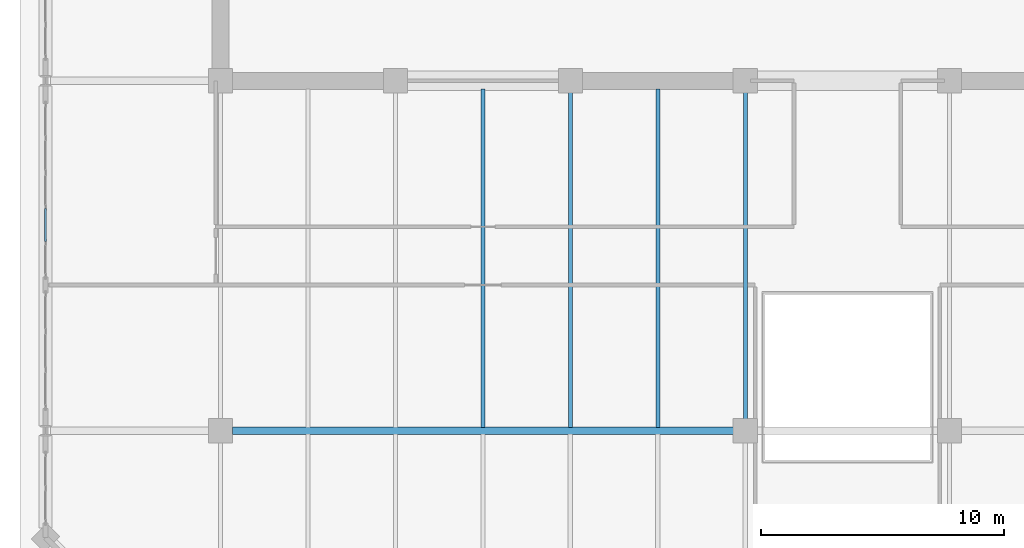
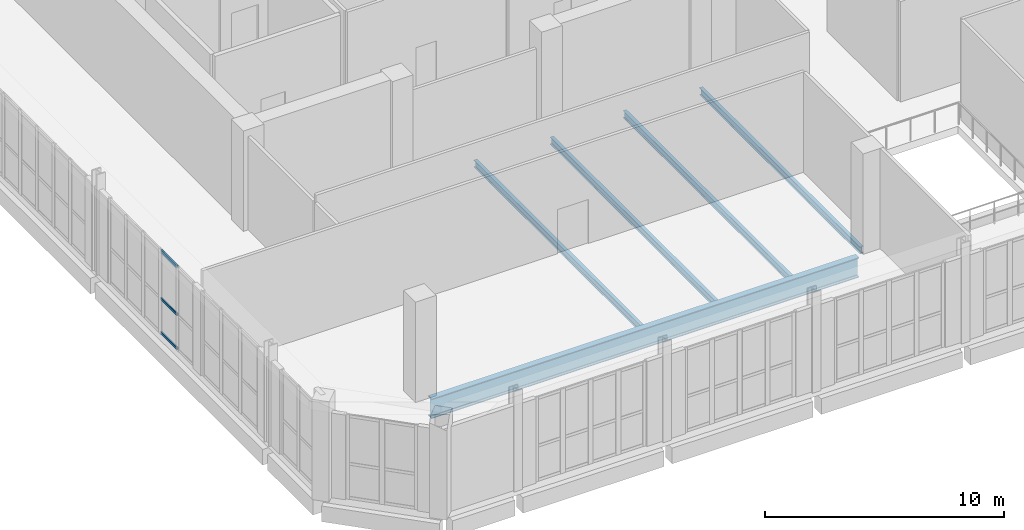
# One storey, part 5 of 26: 5 beams, 3 members, 1 element without a shape of its own.
"""IFC4 building model written with IfcOpenShell, lengths in metres."""

from ifc_helpers import new_model, si_unit, direction, frame, origin, origin_2d, place, context, subcontext, project, spatial, hollow_rectangle, i_section, extrude, material, layer, layer_set, material_profile, profile_set, type_object, element, aggregate, save


model = new_model("IFC4")

# Units and contexts
model_context = context("Model", 3, precision=1e-05, world=origin(), true_north=direction((0.0, 1.0)))
body_context = subcontext(model_context, "Body", "Model", "MODEL_VIEW")
ifc_project = project(units=[si_unit("LENGTHUNIT", "METRE"), si_unit("AREAUNIT", "SQUARE_METRE"), si_unit("VOLUMEUNIT", "CUBIC_METRE"), si_unit("PLANEANGLEUNIT", "RADIAN"), si_unit("MASSUNIT", "GRAM", prefix="KILO")], contexts=[model_context])

# Site, building, storey
site_placement = place(None, origin())
site = spatial("IfcSite", under=ifc_project, at=site_placement, CompositionType="ELEMENT")
building_placement = place(site_placement, origin())
building = spatial("IfcBuilding", under=site, at=building_placement, Name="Kaelvorn Grand Hotel", CompositionType="ELEMENT")
storey_placement = place(building_placement, frame((0.0, 0.0, 300.199951171875)))
storey = spatial("IfcBuildingStorey", under=building, at=storey_placement, Name="L73", CompositionType="ELEMENT", Elevation=300.199951171875)

# Beams
ifc_material_1 = material(Name="Steel S460", Category="steel")
ifc_material_profile_1 = material_profile(ifc_material_1, i_section(OverallWidth=0.302001953125, OverallDepth=1.008056640625, WebThickness=0.02099609375, FlangeThickness=0.0400390625, FilletRadius=0.024169921875, at=origin_2d()), Name="UB 1016x305x349")
ifc_profile_set_1 = profile_set([ifc_material_profile_1], Name="Steel S460")
beam_type_1 = type_object("IfcBeamType", Name="BM-G-UB1016-S460", PredefinedType="BEAM", material=ifc_profile_set_1)
beam_1_placement = place(storey_placement, frame((16.68505859375, 15.0, -0.884033203125), z_axis=(1.0, 0.0, 0.0), x_axis=(0.0, 1.0, 0.0)))
element("IfcBeam", 1, at=beam_1_placement, inside=storey, type_object=beam_type_1, Name="L73 Primary Spine Steel Girder G-15 02", PredefinedType="BEAM", context=body_context, shape_type="SweptSolid", body=[
    extrude(i_section(OverallWidth=0.302001953125, OverallDepth=1.008056640625, WebThickness=0.02099609375, FlangeThickness=0.0400390625, FilletRadius=0.024169921875, at=origin_2d()), origin(), (0.0, 0.0, 1.0), 20.6298828125),
])
ifc_material_2 = material(Name="Steel S355", Category="steel")
ifc_material_profile_2 = material_profile(ifc_material_2, i_section(OverallWidth=0.169921875, OverallDepth=0.360107421875, WebThickness=0.008056640625, FlangeThickness=0.0126953125, FilletRadius=0.01806640625, at=origin_2d()), Name="IPE 360")
ifc_profile_set_2 = profile_set([ifc_material_profile_2], Name="Steel S355")
beam_type_2 = type_object("IfcBeamType", Name="BM-J-IPE360-S355", PredefinedType="JOIST", material=ifc_profile_set_2)
beam_2_placement = place(storey_placement, frame((27.0, 15.135986328125, -0.56005859375), z_axis=(0.0, 1.0, 0.0), x_axis=(-1.0, 0.0, 0.0)))
element("IfcBeam", 2, at=beam_2_placement, inside=storey, type_object=beam_type_2, Name="L73 Composite Floor Joist JM-08", PredefinedType="JOIST", context=body_context, shape_type="SweptSolid", body=[
    extrude(i_section(OverallWidth=0.169921875, OverallDepth=0.360107421875, WebThickness=0.008056640625, FlangeThickness=0.0126953125, FilletRadius=0.01806640625, at=origin_2d()), origin(), (0.0, 0.0, 1.0), 13.924072265625),
])
beam_3_placement = place(storey_placement, frame((30.60009765625, 15.135986328125, -0.56005859375), z_axis=(0.0, 1.0, 0.0), x_axis=(-1.0, 0.0, 0.0)))
element("IfcBeam", 3, at=beam_3_placement, inside=storey, type_object=beam_type_2, Name="L73 Composite Floor Joist JM-09", PredefinedType="JOIST", context=body_context, shape_type="SweptSolid", body=[
    extrude(i_section(OverallWidth=0.169921875, OverallDepth=0.360107421875, WebThickness=0.008056640625, FlangeThickness=0.0126953125, FilletRadius=0.01806640625, at=origin_2d()), origin(), (0.0, 0.0, 1.0), 13.779052734375),
])
beam_4_placement = place(storey_placement, frame((34.199951171875, 15.135986328125, -0.56005859375), z_axis=(0.0, 1.0, 0.0), x_axis=(-1.0, 0.0, 0.0)))
element("IfcBeam", 4, at=beam_4_placement, inside=storey, type_object=beam_type_2, Name="L73 Composite Floor Joist JM-10", PredefinedType="JOIST", context=body_context, shape_type="SweptSolid", body=[
    extrude(i_section(OverallWidth=0.169921875, OverallDepth=0.360107421875, WebThickness=0.008056640625, FlangeThickness=0.0126953125, FilletRadius=0.01806640625, at=origin_2d()), origin(), (0.0, 0.0, 1.0), 13.924072265625),
])
beam_5_placement = place(storey_placement, frame((37.800048828125, 15.485107421875, -0.56005859375), z_axis=(0.0, 1.0, 0.0), x_axis=(-1.0, 0.0, 0.0)))
element("IfcBeam", 5, at=beam_5_placement, inside=storey, type_object=beam_type_2, Name="L73 Composite Floor Joist JM-11", PredefinedType="JOIST", context=body_context, shape_type="SweptSolid", body=[
    extrude(i_section(OverallWidth=0.169921875, OverallDepth=0.360107421875, WebThickness=0.008056640625, FlangeThickness=0.0126953125, FilletRadius=0.01806640625, at=origin_2d()), origin(), (0.0, 0.0, 1.0), 13.429931640625),
])

# Curtain wall, members
ifc_material_3 = material(Name="Anodised Aluminium", Category="aluminium")
ifc_layer = layer(ifc_material_3, 0.239990234375)
ifc_layer_set = layer_set([ifc_layer], Name="Anodised Aluminium")
curtain_wall_type = type_object("IfcCurtainWallType", Name="CW-SYS5", PredefinedType="NOTDEFINED", material=ifc_layer_set)
curtain_wall_placement = place(storey_placement, origin())
curtain_wall = element("IfcCurtainWall", 6, at=curtain_wall_placement, inside=storey, type_object=curtain_wall_type, Name="L73 Unitised Curtain Wall CW5 (CW-L73-W-03)", PredefinedType="NOTDEFINED")
ifc_material_profile_3 = material_profile(ifc_material_3, hollow_rectangle(XDim=0.074951171875, YDim=0.14990234375, WallThickness=0.00390625, InnerFilletRadius=0.00390625, OuterFilletRadius=0.008056640625, at=origin_2d()), Name="ALU TRAN 75x150")
ifc_profile_set_3 = profile_set([ifc_material_profile_3], Name="Anodised Aluminium")
member_type = type_object("IfcMemberType", Name="CW-SYS5-TRAN", PredefinedType="NOTDEFINED", material=ifc_profile_set_3)
member_1_placement = place(storey_placement, frame((9.0, 24.14404296875, 0.074951171875), z_axis=(0.0, -1.0, 0.0), x_axis=(1.0, 0.0, 0.0)))
member_1 = element("IfcMember", 7, at=member_1_placement, type_object=member_type, Name="CW5 transom 4.1", ObjectType="TRANSOM", PredefinedType="USERDEFINED", context=body_context, shape_type="SweptSolid", body=[
    extrude(hollow_rectangle(XDim=0.074951171875, YDim=0.14990234375, WallThickness=0.00390625, InnerFilletRadius=0.00390625, OuterFilletRadius=0.008056640625, at=origin_2d()), origin(), (0.0, 0.0, 1.0), 1.35205078125),
])
member_2_placement = place(storey_placement, frame((9.0, 24.14404296875, 1.814453125), z_axis=(0.0, -1.0, 0.0), x_axis=(1.0, 0.0, 0.0)))
member_2 = element("IfcMember", 8, at=member_2_placement, type_object=member_type, Name="CW5 transom 4.2", ObjectType="TRANSOM", PredefinedType="USERDEFINED", context=body_context, shape_type="SweptSolid", body=[
    extrude(hollow_rectangle(XDim=0.074951171875, YDim=0.14990234375, WallThickness=0.00390625, InnerFilletRadius=0.00390625, OuterFilletRadius=0.008056640625, at=origin_2d()), origin(), (0.0, 0.0, 1.0), 1.35205078125),
])
member_3_placement = place(storey_placement, frame((9.0, 24.14404296875, 4.2451171875), z_axis=(0.0, -1.0, 0.0), x_axis=(1.0, 0.0, 0.0)))
member_3 = element("IfcMember", 9, at=member_3_placement, type_object=member_type, Name="CW5 transom 4.3", ObjectType="TRANSOM", PredefinedType="USERDEFINED", context=body_context, shape_type="SweptSolid", body=[
    extrude(hollow_rectangle(XDim=0.074951171875, YDim=0.14990234375, WallThickness=0.00390625, InnerFilletRadius=0.00390625, OuterFilletRadius=0.008056640625, at=origin_2d()), origin(), (0.0, 0.0, 1.0), 1.35205078125),
])
aggregate(curtain_wall, [member_1, member_2, member_3])

save(model, "model.ifc")
